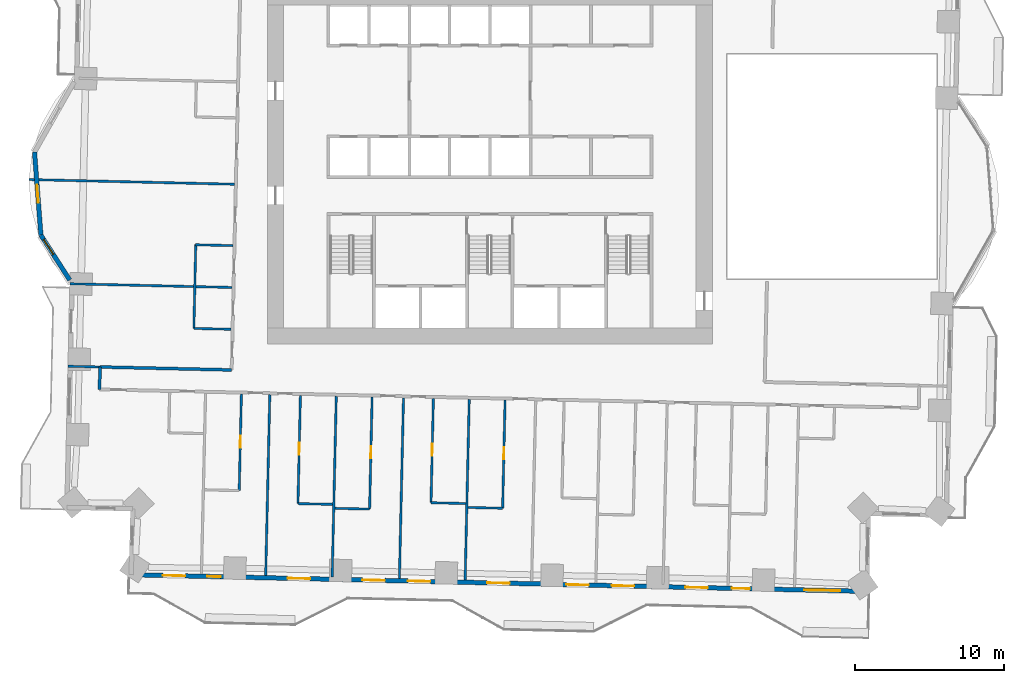
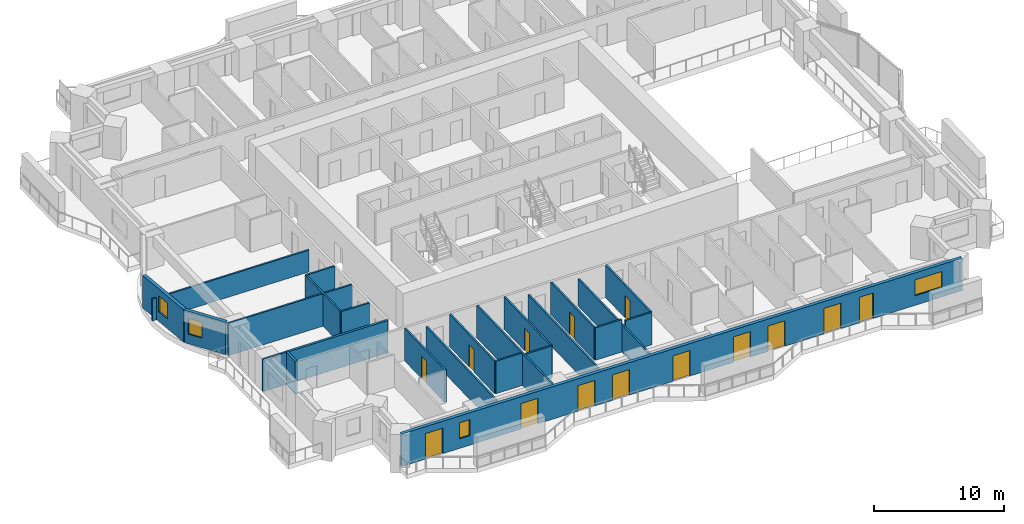
# One storey, part 7 of 19: 24 walls, 14 doors, 4 windows, 18 openings.
"""IFC4 building model written with IfcOpenShell, lengths in metres."""

import ifcopenshell
import ifcopenshell.guid

model = None  # the IFC model being written
_history = None  # IfcOwnerHistory: only IFC2X3 demands one
_inside = {}  # id of a spatial element -> (the spatial element, [elements in it])
_under = {}  # id of a project, library or spatial element -> (it, [spatial elements below it])
_declared = {}  # id of a project -> (the project, [libraries it declares])
_typed = {}  # id of a type object -> (the type object, [elements of that type])
_made_of = {}  # id of a material, layer set ... -> (it, [elements and type objects made of it])


def new_model(schema):
    """Start an empty IFC model of exactly this schema.

    Asked for "IFC4X3", IfcOpenShell would pick the latest addendum, in which some entities
    have other attributes; the version numbers below select the first issue.
    IFC2X3 requires an IfcOwnerHistory on every rooted entity: one is made here for all.
    """
    global model, _history
    if schema == "IFC4X3":
        model = ifcopenshell.file(schema_version=(4, 3, 0, 0))
    else:
        model = ifcopenshell.file(schema=schema)
    _inside.clear()
    _under.clear()
    _declared.clear()
    _typed.clear()
    _made_of.clear()
    _history = None
    if model.schema == "IFC2X3":
        org = make("IfcOrganization", Name="unknown")
        user = make(
            "IfcPersonAndOrganization",
            ThePerson=make("IfcPerson", FamilyName="unknown"),
            TheOrganization=org,
        )
        app = make(
            "IfcApplication",
            ApplicationDeveloper=org,
            Version="unknown",
            ApplicationFullName="unknown",
            ApplicationIdentifier="unknown",
        )
        _history = make(
            "IfcOwnerHistory",
            OwningUser=user,
            OwningApplication=app,
            ChangeAction="ADDED",
            CreationDate=0,
        )
    return model


def make(cls, **values):
    """One entity of the class cls with the attributes given. An attribute that is None is left unset."""
    return model.create_entity(
        cls, **{name: value for name, value in values.items() if value is not None}
    )


def rooted(cls, **values):
    """An entity with a GlobalId (a new one), such as an element, a storey or a relation."""
    return make(cls, GlobalId=ifcopenshell.guid.new(), OwnerHistory=_history, **values)


def si_unit(unit_type, name, prefix=None):
    """IfcSIUnit, for example si_unit("LENGTHUNIT", "METRE", prefix="MILLI")."""
    return make("IfcSIUnit", UnitType=unit_type, Prefix=prefix, Name=name)


def assignment(units):
    """IfcUnitAssignment: the units of a project."""
    return None if units is None else make("IfcUnitAssignment", Units=units)


def point(xyz):
    """IfcCartesianPoint."""
    return None if xyz is None else make("IfcCartesianPoint", Coordinates=xyz)


def direction(xyz):
    """IfcDirection."""
    return None if xyz is None else make("IfcDirection", DirectionRatios=xyz)


def frame(location, z_axis=None, x_axis=None):
    """IfcAxis2Placement3D, a coordinate frame: its origin and axes. An axis left out is left unset."""
    return make(
        "IfcAxis2Placement3D",
        Location=point(location),
        Axis=direction(z_axis),
        RefDirection=direction(x_axis),
    )


def frame_2d(location, x_axis=None):
    """IfcAxis2Placement2D, a coordinate frame in the plane: its origin and x axis."""
    return make(
        "IfcAxis2Placement2D", Location=point(location), RefDirection=direction(x_axis)
    )


def origin():
    """The frame at (0, 0, 0) with its axes left unset."""
    return frame((0.0, 0.0, 0.0))


def place(relative_to, where):
    """IfcLocalPlacement: puts the frame where relative to a parent placement (None: the world)."""
    return make(
        "IfcLocalPlacement", PlacementRelTo=relative_to, RelativePlacement=where
    )


def context(
    kind, dimensions, precision=None, world=None, true_north=None, identifier=None
):
    """IfcGeometricRepresentationContext, for example the 3D "Model" context."""
    return make(
        "IfcGeometricRepresentationContext",
        ContextIdentifier=identifier,
        ContextType=kind,
        CoordinateSpaceDimension=dimensions,
        Precision=precision,
        WorldCoordinateSystem=world,
        TrueNorth=true_north,
    )


def subcontext(parent, identifier, kind, view, scale=None):
    """IfcGeometricRepresentationSubContext, for example "Body" below "Model"."""
    return make(
        "IfcGeometricRepresentationSubContext",
        ContextIdentifier=identifier,
        ContextType=kind,
        ParentContext=parent,
        TargetScale=scale,
        TargetView=view,
    )


def project(units=None, contexts=None):
    """IfcProject with its units and contexts."""
    return rooted(
        "IfcProject",
        Name="project",
        RepresentationContexts=contexts,
        UnitsInContext=assignment(units),
    )


def spatial(cls, under=None, at=None, **own):
    """A site, building, storey or space (cls), placed at a placement, below another one or the project."""
    s = rooted(cls, ObjectPlacement=at, **own)
    if under is not None:
        _under.setdefault(under.id(), (under, []))[1].append(s)
    return s


def profile(cls, at=None, kind="AREA", **sizes):
    """A parametric profile (cls). Its sizes go by their IFC names, for example OverallWidth=200.0."""
    return make(cls, ProfileType=kind, Position=at, **sizes)


def rectangle(**sizes):
    """IfcRectangleProfileDef."""
    return profile("IfcRectangleProfileDef", **sizes)


def extrude(swept, where, along, depth):
    """IfcExtrudedAreaSolid: the profile swept, set in the frame where, extruded along a direction by depth."""
    return make(
        "IfcExtrudedAreaSolid",
        SweptArea=swept,
        Position=where,
        ExtrudedDirection=direction(along),
        Depth=depth,
    )


def shape(context_of_items, identifier, shape_type, items):
    """IfcShapeRepresentation: the items that make up one representation, for example the "Body"."""
    return make(
        "IfcShapeRepresentation",
        ContextOfItems=context_of_items,
        RepresentationIdentifier=identifier,
        RepresentationType=shape_type,
        Items=items,
    )


def material(Name=None, Category=None):
    """IfcMaterial."""
    return make("IfcMaterial", Name=Name, Category=Category)


def layer(
    of_material, thickness, ventilated=None, Name=None, Category=None, Priority=None
):
    """IfcMaterialLayer: one layer of a wall or slab, of a material (None: an air gap)."""
    return make(
        "IfcMaterialLayer",
        Material=of_material,
        LayerThickness=thickness,
        IsVentilated=ventilated,
        Name=Name,
        Category=Category,
        Priority=Priority,
    )


def layer_set(layers, Name=None):
    """IfcMaterialLayerSet."""
    return make("IfcMaterialLayerSet", MaterialLayers=layers, LayerSetName=Name)


def made_of(thing, what):
    """Note that an element or type object is made of a material, layer set ...; save() writes the relation."""
    if what is not None:
        _made_of.setdefault(what.id(), (what, []))[1].append(thing)
    return thing


def type_object(cls, material=None, **own):
    """A type object (cls), such as IfcWallType, which elements share."""
    return made_of(rooted(cls, **own), material)


def element(
    cls,
    number,
    at=None,
    inside=None,
    cuts=None,
    type_object=None,
    material=None,
    context=None,
    identifier="Body",
    shape_type=None,
    held_by="IfcProductDefinitionShape",
    body=None,
    shapes=None,
    **own,
):
    """One element of the class cls, such as IfcWall. Its Tag is "e" and its number.

    at: its placement. inside: the storey or other place that contains it. cuts: it is an
    opening in that element (IfcRelVoidsElement). A single representation is given by context,
    identifier, shape_type and body (its items); several are given by shapes. held_by: the class
    of the entity that holds the representations. save() writes the other relations.
    """
    e = rooted(cls, Tag="e%d" % number, ObjectPlacement=at, **own)
    if body is not None:
        shapes = [shape(context, identifier, shape_type, body)]
    if shapes is not None:
        e.Representation = make(held_by, Representations=shapes)
    if inside is not None:
        _inside.setdefault(inside.id(), (inside, []))[1].append(e)
    if cuts is not None:
        rooted(
            "IfcRelVoidsElement", RelatingBuildingElement=cuts, RelatedOpeningElement=e
        )
    if type_object is not None:
        _typed.setdefault(type_object.id(), (type_object, []))[1].append(e)
    return made_of(e, material)


def fill(opening, filler):
    """IfcRelFillsElement: the door or window that sits in an opening."""
    return rooted(
        "IfcRelFillsElement",
        RelatingOpeningElement=opening,
        RelatedBuildingElement=filler,
    )


def aggregate(whole, parts):
    """IfcRelAggregates: a whole, such as a stair, and the parts it consists of."""
    return rooted("IfcRelAggregates", RelatingObject=whole, RelatedObjects=parts)


def save(model, path):
    """Write the relations noted so far, then the file.

    IfcRelAggregates (storeys below a building ...), IfcRelContainedInSpatialStructure (elements
    in a storey), IfcRelDefinesByType, IfcRelAssociatesMaterial and IfcRelDeclares: one each for
    every whole, place, type object, material and project.
    """
    for whole, parts in _under.values():
        aggregate(whole, parts)
    for where, things in _inside.values():
        rooted(
            "IfcRelContainedInSpatialStructure",
            RelatedElements=things,
            RelatingStructure=where,
        )
    for kind, things in _typed.values():
        rooted("IfcRelDefinesByType", RelatedObjects=things, RelatingType=kind)
    for what, things in _made_of.values():
        rooted("IfcRelAssociatesMaterial", RelatedObjects=things, RelatingMaterial=what)
    for by, libraries in _declared.values():
        rooted("IfcRelDeclares", RelatingContext=by, RelatedDefinitions=libraries)
    model.write(path)


model = new_model("IFC4")

# Units and contexts
model_context = context("Model", 3, precision=1e-05, world=origin(), true_north=direction((0.0, 1.0)))
body_context = subcontext(model_context, "Body", "Model", "MODEL_VIEW")
ifc_project = project(units=[si_unit("LENGTHUNIT", "METRE"), si_unit("AREAUNIT", "SQUARE_METRE"), si_unit("VOLUMEUNIT", "CUBIC_METRE"), si_unit("PLANEANGLEUNIT", "RADIAN"), si_unit("MASSUNIT", "GRAM", prefix="KILO")], contexts=[model_context])

# Site, building, storey
site_placement = place(None, origin())
site = spatial("IfcSite", under=ifc_project, at=site_placement, CompositionType="ELEMENT")
building_placement = place(site_placement, origin())
building = spatial("IfcBuilding", under=site, at=building_placement, Name="Mangrove Gate Tower", CompositionType="ELEMENT")
storey_placement = place(building_placement, frame((0.0, 0.0, 63.89990234375)))
storey = spatial("IfcBuildingStorey", under=building, at=storey_placement, Name="L15", CompositionType="ELEMENT", Elevation=63.89990234375)

# Walls
ifc_material_1 = material(Name="Gypsum board on steel stud, EI 60", Category="steel")
ifc_layer_1 = layer(ifc_material_1, 0.199951171875)
ifc_layer_set_1 = layer_set([ifc_layer_1], Name="Corridor wall EI 60")
wall_type_1 = type_object("IfcWallType", Name="Corridor wall EI 60", PredefinedType="PARTITIONING", material=ifc_layer_set_1)
wall_1_placement = place(storey_placement, frame((-26.1279296875, -14.924072265625, 0.0), z_axis=(0.0, 0.0, 1.0), x_axis=(0.022632637625, 0.99974384905, 0.0)))
element("IfcWall", 1, at=wall_1_placement, inside=storey, type_object=wall_type_1, Name="WALL-L15-033", PredefinedType="PARTITIONING", context=body_context, shape_type="SweptSolid", body=[
    extrude(rectangle(XDim=1.49951171875, YDim=0.199951171875, at=frame_2d((0.749755859375, 0.0))), origin(), (0.0, 0.0, 1.0), 3.050048828125),
])
wall_2_placement = place(storey_placement, frame((-26.092041015625, -13.425048828125, 0.0), z_axis=(0.0, 0.0, 1.0), x_axis=(0.999742550188, -0.022689939273, 0.0)))
element("IfcWall", 2, at=wall_2_placement, inside=storey, type_object=wall_type_1, Name="WALL-L15-037", PredefinedType="PARTITIONING", context=body_context, shape_type="SweptSolid", body=[
    extrude(rectangle(XDim=8.812255859375, YDim=0.199951171875, at=frame_2d((4.40625, 0.0))), origin(), (0.0, 0.0, 1.0), 3.050048828125),
])

# Wall, opening, window
ifc_material_2 = material(Name="Limestone", Category="masonry")
ifc_layer_2 = layer(ifc_material_2, 0.0400390625, Name="Limestone cladding")
ifc_material_3 = material(Name="Ventilated air gap")
ifc_layer_3 = layer(ifc_material_3, 0.0400390625, Name="Ventilated cavity")
ifc_material_4 = material(Name="Mineral wool insulation")
ifc_layer_4 = layer(ifc_material_4, 0.06005859375, Name="Insulation")
ifc_material_5 = material(Name="Breather membrane")
ifc_layer_5 = layer(ifc_material_5, 0.001953125, Name="Breather membrane")
ifc_material_6 = material(Name="Concrete C20/25 blockwork", Category="masonry")
ifc_layer_6 = layer(ifc_material_6, 0.14990234375, Name="Blockwork backing wall")
ifc_material_7 = material(Name="Gypsum plaster")
ifc_layer_7 = layer(ifc_material_7, 0.008056640625, Name="Internal plaster")
ifc_layer_set_2 = layer_set([ifc_layer_2, ifc_layer_3, ifc_layer_4, ifc_layer_5, ifc_layer_6, ifc_layer_7], Name="External wall 300 limestone cladding")
wall_type_2 = type_object("IfcWallType", Name="External wall 300 limestone cladding", PredefinedType="SOLIDWALL", material=ifc_layer_set_2)
wall_3_placement = place(storey_placement, frame((-30.47900390625, 0.951904296875, 0.0), z_axis=(0.0, 0.0, 1.0), x_axis=(0.076964476481, -0.997033835614, 0.0)))
wall_3 = element("IfcWall", 3, at=wall_3_placement, inside=storey, type_object=wall_type_2, Name="WALL-L15-W9f2", PredefinedType="SOLIDWALL", context=body_context, shape_type="SweptSolid", body=[
    extrude(rectangle(XDim=5.573486328125, YDim=0.300048828125, at=frame_2d((2.78662109375, 0.0))), origin(), (0.0, 0.0, 1.0), 3.050048828125),
])
opening_1_placement = place(wall_3_placement, frame((2.18603515625, 0.0, 0.89990234375)))
opening_1 = element("IfcOpeningElement", 4, at=opening_1_placement, cuts=wall_3, Name="Opening W1", PredefinedType="OPENING", context=body_context, shape_type="SweptSolid", body=[
    extrude(rectangle(XDim=1.199951171875, YDim=1.5, at=frame_2d((0.60009765625, 0.75))), frame((0.0, 0.159912109375, 0.0), z_axis=(0.0, -1.0, 0.0), x_axis=(1.0, 0.0, 0.0)), (0.0, 0.0, 1.0), 0.320068359375),
])
ifc_material_8 = material(Name="Aluminium frame with double-glazed low-e glass", Category="aluminium")
window_type_1 = type_object("IfcWindowType", Name="Side lite 1200x1500", PartitioningType="SINGLE_PANEL", PredefinedType="WINDOW", material=ifc_material_8)
window_1_placement = place(opening_1_placement, origin())
window_1 = element("IfcWindow", 5, at=window_1_placement, inside=storey, type_object=window_type_1, Name="WIN-L15-W9f2", OverallHeight=1.5, OverallWidth=1.199951171875, PartitioningType="SINGLE_PANEL", PredefinedType="WINDOW", context=body_context, shape_type="SweptSolid", body=[
    extrude(rectangle(XDim=1.199951171875, YDim=1.5, at=frame_2d((0.60009765625, 0.75))), frame((0.0, 0.030029296875, 0.0), z_axis=(0.0, -1.0, 0.0), x_axis=(1.0, 0.0, 0.0)), (0.0, 0.0, 1.0), 0.06005859375),
])
fill(opening_1, window_1)

wall_4_placement = place(storey_placement, frame((-30.050048828125, -4.60498046875, 0.0), z_axis=(0.0, 0.0, 1.0), x_axis=(0.540653885242, -0.841245134532, 0.0)))
wall_4 = element("IfcWall", 6, at=wall_4_placement, inside=storey, type_object=wall_type_2, Name="WALL-L15-W9f3", PredefinedType="SOLIDWALL", context=body_context, shape_type="SweptSolid", body=[
    extrude(rectangle(XDim=3.569580078125, YDim=0.300048828125, at=frame_2d((1.78466796875, 0.0))), origin(), (0.0, 0.0, 1.0), 3.050048828125),
])
opening_2_placement = place(wall_4_placement, frame((0.337890625, 0.0, 0.89990234375)))
opening_2 = element("IfcOpeningElement", 7, at=opening_2_placement, cuts=wall_4, Name="Opening W1", PredefinedType="OPENING", context=body_context, shape_type="SweptSolid", body=[
    extrude(rectangle(XDim=1.199951171875, YDim=1.5, at=frame_2d((0.60009765625, 0.75))), frame((0.0, 0.159912109375, 0.0), z_axis=(0.0, -1.0, 0.0), x_axis=(1.0, 0.0, 0.0)), (0.0, 0.0, 1.0), 0.320068359375),
])
window_2_placement = place(opening_2_placement, origin())
window_2 = element("IfcWindow", 8, at=window_2_placement, inside=storey, type_object=window_type_1, Name="WIN-L15-W9f3", OverallHeight=1.5, OverallWidth=1.199951171875, PartitioningType="SINGLE_PANEL", PredefinedType="WINDOW", context=body_context, shape_type="SweptSolid", body=[
    extrude(rectangle(XDim=1.199951171875, YDim=1.5, at=frame_2d((0.60009765625, 0.75))), frame((0.0, 0.030029296875, 0.0), z_axis=(0.0, -1.0, 0.0), x_axis=(1.0, 0.0, 0.0)), (0.0, 0.0, 1.0), 0.06005859375),
])
fill(opening_2, window_2)

# Wall, openings, doors, windows
wall_5_placement = place(storey_placement, frame((-24.007080078125, -27.325927734375, 0.0), z_axis=(0.0, 0.0, 1.0), x_axis=(0.999742536491, -0.022690542744, 0.0)))
wall_5 = element("IfcWall", 9, at=wall_5_placement, inside=storey, type_object=wall_type_2, Name="WALL-L15-S13", PredefinedType="SOLIDWALL", context=body_context, shape_type="SweptSolid", body=[
    extrude(rectangle(XDim=49.23583984375, YDim=0.300048828125, at=frame_2d((24.617919921875, 0.0))), origin(), (0.0, 0.0, 1.0), 3.050048828125),
])
opening_3_placement = place(wall_5_placement, frame((2.114990234375, 0.0, 0.0)))
opening_3 = element("IfcOpeningElement", 10, at=opening_3_placement, cuts=wall_5, Name="Opening BD1", PredefinedType="OPENING", context=body_context, shape_type="SweptSolid", body=[
    extrude(rectangle(XDim=1.5, YDim=2.39990234375, at=frame_2d((0.75, 1.199951171875))), frame((0.0, 0.159912109375, 0.0), z_axis=(0.0, -1.0, 0.0), x_axis=(1.0, 0.0, 0.0)), (0.0, 0.0, 1.0), 0.320068359375),
])
opening_4_placement = place(wall_5_placement, frame((5.087890625, 0.0, 0.89990234375)))
opening_4 = element("IfcOpeningElement", 11, at=opening_4_placement, cuts=wall_5, Name="Opening W5", PredefinedType="OPENING", context=body_context, shape_type="SweptSolid", body=[
    extrude(rectangle(XDim=0.89990234375, YDim=1.5, at=frame_2d((0.449951171875, 0.75))), frame((0.0, 0.159912109375, 0.0), z_axis=(0.0, -1.0, 0.0), x_axis=(1.0, 0.0, 0.0)), (0.0, 0.0, 1.0), 0.320068359375),
])
opening_5_placement = place(wall_5_placement, frame((10.47509765625, 0.0, 0.0)))
opening_5 = element("IfcOpeningElement", 12, at=opening_5_placement, cuts=wall_5, Name="Opening BD1", PredefinedType="OPENING", context=body_context, shape_type="SweptSolid", body=[
    extrude(rectangle(XDim=1.5, YDim=2.39990234375, at=frame_2d((0.75, 1.199951171875))), frame((0.0, 0.159912109375, 0.0), z_axis=(0.0, -1.0, 0.0), x_axis=(1.0, 0.0, 0.0)), (0.0, 0.0, 1.0), 0.320068359375),
])
opening_6_placement = place(wall_5_placement, frame((15.47705078125, 0.0, 0.0)))
opening_6 = element("IfcOpeningElement", 13, at=opening_6_placement, cuts=wall_5, Name="Opening BD1", PredefinedType="OPENING", context=body_context, shape_type="SweptSolid", body=[
    extrude(rectangle(XDim=1.5, YDim=2.39990234375, at=frame_2d((0.75, 1.199951171875))), frame((0.0, 0.159912109375, 0.0), z_axis=(0.0, -1.0, 0.0), x_axis=(1.0, 0.0, 0.0)), (0.0, 0.0, 1.0), 0.320068359375),
])
opening_7_placement = place(wall_5_placement, frame((18.514892578125, 0.0, 0.0)))
opening_7 = element("IfcOpeningElement", 14, at=opening_7_placement, cuts=wall_5, Name="Opening BD1", PredefinedType="OPENING", context=body_context, shape_type="SweptSolid", body=[
    extrude(rectangle(XDim=1.5, YDim=2.39990234375, at=frame_2d((0.75, 1.199951171875))), frame((0.0, 0.159912109375, 0.0), z_axis=(0.0, -1.0, 0.0), x_axis=(1.0, 0.0, 0.0)), (0.0, 0.0, 1.0), 0.320068359375),
])
opening_8_placement = place(wall_5_placement, frame((23.824951171875, 0.0, 0.0)))
opening_8 = element("IfcOpeningElement", 15, at=opening_8_placement, cuts=wall_5, Name="Opening BD1", PredefinedType="OPENING", context=body_context, shape_type="SweptSolid", body=[
    extrude(rectangle(XDim=1.5, YDim=2.39990234375, at=frame_2d((0.75, 1.199951171875))), frame((0.0, 0.159912109375, 0.0), z_axis=(0.0, -1.0, 0.0), x_axis=(1.0, 0.0, 0.0)), (0.0, 0.0, 1.0), 0.320068359375),
])
opening_9_placement = place(wall_5_placement, frame((29.1279296875, 0.0, 0.0)))
opening_9 = element("IfcOpeningElement", 16, at=opening_9_placement, cuts=wall_5, Name="Opening BD1", PredefinedType="OPENING", context=body_context, shape_type="SweptSolid", body=[
    extrude(rectangle(XDim=1.5, YDim=2.39990234375, at=frame_2d((0.75, 1.199951171875))), frame((0.0, 0.159912109375, 0.0), z_axis=(0.0, -1.0, 0.0), x_axis=(1.0, 0.0, 0.0)), (0.0, 0.0, 1.0), 0.320068359375),
])
opening_10_placement = place(wall_5_placement, frame((32.166015625, 0.0, 0.0)))
opening_10 = element("IfcOpeningElement", 17, at=opening_10_placement, cuts=wall_5, Name="Opening BD1", PredefinedType="OPENING", context=body_context, shape_type="SweptSolid", body=[
    extrude(rectangle(XDim=1.5, YDim=2.39990234375, at=frame_2d((0.75, 1.199951171875))), frame((0.0, 0.159912109375, 0.0), z_axis=(0.0, -1.0, 0.0), x_axis=(1.0, 0.0, 0.0)), (0.0, 0.0, 1.0), 0.320068359375),
])
opening_11_placement = place(wall_5_placement, frame((37.091064453125, 0.0, 0.0)))
opening_11 = element("IfcOpeningElement", 18, at=opening_11_placement, cuts=wall_5, Name="Opening BD1", PredefinedType="OPENING", context=body_context, shape_type="SweptSolid", body=[
    extrude(rectangle(XDim=1.5, YDim=2.39990234375, at=frame_2d((0.75, 1.199951171875))), frame((0.0, 0.159912109375, 0.0), z_axis=(0.0, -1.0, 0.0), x_axis=(1.0, 0.0, 0.0)), (0.0, 0.0, 1.0), 0.320068359375),
])
opening_12_placement = place(wall_5_placement, frame((40.205078125, 0.0, 0.0)))
opening_12 = element("IfcOpeningElement", 19, at=opening_12_placement, cuts=wall_5, Name="Opening BD2", PredefinedType="OPENING", context=body_context, shape_type="SweptSolid", body=[
    extrude(rectangle(XDim=1.199951171875, YDim=2.39990234375, at=frame_2d((0.60009765625, 1.199951171875))), frame((0.0, 0.159912109375, 0.0), z_axis=(0.0, -1.0, 0.0), x_axis=(1.0, 0.0, 0.0)), (0.0, 0.0, 1.0), 0.320068359375),
])
opening_13_placement = place(wall_5_placement, frame((45.047119140625, 0.0, 0.89990234375)))
opening_13 = element("IfcOpeningElement", 20, at=opening_13_placement, cuts=wall_5, Name="Opening W2", PredefinedType="OPENING", context=body_context, shape_type="SweptSolid", body=[
    extrude(rectangle(XDim=2.39990234375, YDim=1.5, at=frame_2d((1.199951171875, 0.75))), frame((0.0, 0.159912109375, 0.0), z_axis=(0.0, -1.0, 0.0), x_axis=(1.0, 0.0, 0.0)), (0.0, 0.0, 1.0), 0.320068359375),
])
ifc_material_9 = material(Name="Aluminium frame with laminated clear glass", Category="aluminium")
door_type_1 = type_object("IfcDoorType", Name="Balcony sliding door 1200x2400", OperationType="SLIDING_TO_LEFT", PredefinedType="DOOR", material=ifc_material_9)
door_1_placement = place(opening_12_placement, origin())
door_1 = element("IfcDoor", 21, at=door_1_placement, inside=storey, type_object=door_type_1, Name="DOOR-L15-S13-10", OperationType="SLIDING_TO_LEFT", OverallHeight=2.39990234375, OverallWidth=1.199951171875, PredefinedType="DOOR", context=body_context, shape_type="SweptSolid", body=[
    extrude(rectangle(XDim=1.199951171875, YDim=2.39990234375, at=frame_2d((0.60009765625, 1.199951171875))), frame((0.0, 0.02490234375, 0.0), z_axis=(0.0, -1.0, 0.0), x_axis=(1.0, 0.0, 0.0)), (0.0, 0.0, 1.0), 0.050048828125),
])
fill(opening_12, door_1)
ifc_material_10 = material(Name="Aluminium frame with laminated clear glass", Category="aluminium")
door_type_2 = type_object("IfcDoorType", Name="Balcony sliding door 1500x2400", OperationType="SLIDING_TO_LEFT", PredefinedType="DOOR", material=ifc_material_10)
door_2_placement = place(opening_3_placement, origin())
door_2 = element("IfcDoor", 22, at=door_2_placement, inside=storey, type_object=door_type_2, Name="DOOR-L15-S13-1", OperationType="SLIDING_TO_LEFT", OverallHeight=2.39990234375, OverallWidth=1.5, PredefinedType="DOOR", context=body_context, shape_type="SweptSolid", body=[
    extrude(rectangle(XDim=1.5, YDim=2.39990234375, at=frame_2d((0.75, 1.199951171875))), frame((0.0, 0.02490234375, 0.0), z_axis=(0.0, -1.0, 0.0), x_axis=(1.0, 0.0, 0.0)), (0.0, 0.0, 1.0), 0.050048828125),
])
fill(opening_3, door_2)
door_3_placement = place(opening_5_placement, origin())
door_3 = element("IfcDoor", 23, at=door_3_placement, inside=storey, type_object=door_type_2, Name="DOOR-L15-S13-3", OperationType="SLIDING_TO_LEFT", OverallHeight=2.39990234375, OverallWidth=1.5, PredefinedType="DOOR", context=body_context, shape_type="SweptSolid", body=[
    extrude(rectangle(XDim=1.5, YDim=2.39990234375, at=frame_2d((0.75, 1.199951171875))), frame((0.0, 0.02490234375, 0.0), z_axis=(0.0, -1.0, 0.0), x_axis=(1.0, 0.0, 0.0)), (0.0, 0.0, 1.0), 0.050048828125),
])
fill(opening_5, door_3)
door_4_placement = place(opening_6_placement, origin())
door_4 = element("IfcDoor", 24, at=door_4_placement, inside=storey, type_object=door_type_2, Name="DOOR-L15-S13-4", OperationType="SLIDING_TO_LEFT", OverallHeight=2.39990234375, OverallWidth=1.5, PredefinedType="DOOR", context=body_context, shape_type="SweptSolid", body=[
    extrude(rectangle(XDim=1.5, YDim=2.39990234375, at=frame_2d((0.75, 1.199951171875))), frame((0.0, 0.02490234375, 0.0), z_axis=(0.0, -1.0, 0.0), x_axis=(1.0, 0.0, 0.0)), (0.0, 0.0, 1.0), 0.050048828125),
])
fill(opening_6, door_4)
door_5_placement = place(opening_7_placement, origin())
door_5 = element("IfcDoor", 25, at=door_5_placement, inside=storey, type_object=door_type_2, Name="DOOR-L15-S13-5", OperationType="SLIDING_TO_LEFT", OverallHeight=2.39990234375, OverallWidth=1.5, PredefinedType="DOOR", context=body_context, shape_type="SweptSolid", body=[
    extrude(rectangle(XDim=1.5, YDim=2.39990234375, at=frame_2d((0.75, 1.199951171875))), frame((0.0, 0.02490234375, 0.0), z_axis=(0.0, -1.0, 0.0), x_axis=(1.0, 0.0, 0.0)), (0.0, 0.0, 1.0), 0.050048828125),
])
fill(opening_7, door_5)
door_6_placement = place(opening_8_placement, origin())
door_6 = element("IfcDoor", 26, at=door_6_placement, inside=storey, type_object=door_type_2, Name="DOOR-L15-S13-6", OperationType="SLIDING_TO_LEFT", OverallHeight=2.39990234375, OverallWidth=1.5, PredefinedType="DOOR", context=body_context, shape_type="SweptSolid", body=[
    extrude(rectangle(XDim=1.5, YDim=2.39990234375, at=frame_2d((0.75, 1.199951171875))), frame((0.0, 0.02490234375, 0.0), z_axis=(0.0, -1.0, 0.0), x_axis=(1.0, 0.0, 0.0)), (0.0, 0.0, 1.0), 0.050048828125),
])
fill(opening_8, door_6)
door_7_placement = place(opening_9_placement, origin())
door_7 = element("IfcDoor", 27, at=door_7_placement, inside=storey, type_object=door_type_2, Name="DOOR-L15-S13-7", OperationType="SLIDING_TO_LEFT", OverallHeight=2.39990234375, OverallWidth=1.5, PredefinedType="DOOR", context=body_context, shape_type="SweptSolid", body=[
    extrude(rectangle(XDim=1.5, YDim=2.39990234375, at=frame_2d((0.75, 1.199951171875))), frame((0.0, 0.02490234375, 0.0), z_axis=(0.0, -1.0, 0.0), x_axis=(1.0, 0.0, 0.0)), (0.0, 0.0, 1.0), 0.050048828125),
])
fill(opening_9, door_7)
door_8_placement = place(opening_10_placement, origin())
door_8 = element("IfcDoor", 28, at=door_8_placement, inside=storey, type_object=door_type_2, Name="DOOR-L15-S13-8", OperationType="SLIDING_TO_LEFT", OverallHeight=2.39990234375, OverallWidth=1.5, PredefinedType="DOOR", context=body_context, shape_type="SweptSolid", body=[
    extrude(rectangle(XDim=1.5, YDim=2.39990234375, at=frame_2d((0.75, 1.199951171875))), frame((0.0, 0.02490234375, 0.0), z_axis=(0.0, -1.0, 0.0), x_axis=(1.0, 0.0, 0.0)), (0.0, 0.0, 1.0), 0.050048828125),
])
fill(opening_10, door_8)
door_9_placement = place(opening_11_placement, origin())
door_9 = element("IfcDoor", 29, at=door_9_placement, inside=storey, type_object=door_type_2, Name="DOOR-L15-S13-9", OperationType="SLIDING_TO_LEFT", OverallHeight=2.39990234375, OverallWidth=1.5, PredefinedType="DOOR", context=body_context, shape_type="SweptSolid", body=[
    extrude(rectangle(XDim=1.5, YDim=2.39990234375, at=frame_2d((0.75, 1.199951171875))), frame((0.0, 0.02490234375, 0.0), z_axis=(0.0, -1.0, 0.0), x_axis=(1.0, 0.0, 0.0)), (0.0, 0.0, 1.0), 0.050048828125),
])
fill(opening_11, door_9)
ifc_material_11 = material(Name="Aluminium frame with double-glazed low-e glass", Category="aluminium")
window_type_2 = type_object("IfcWindowType", Name="Corner room window 2400x1500", PartitioningType="DOUBLE_PANEL_VERTICAL", PredefinedType="WINDOW", material=ifc_material_11)
window_3_placement = place(opening_13_placement, origin())
window_3 = element("IfcWindow", 30, at=window_3_placement, inside=storey, type_object=window_type_2, Name="WIN-L15-S13-11", OverallHeight=1.5, OverallWidth=2.39990234375, PartitioningType="DOUBLE_PANEL_VERTICAL", PredefinedType="WINDOW", context=body_context, shape_type="SweptSolid", body=[
    extrude(rectangle(XDim=2.39990234375, YDim=1.5, at=frame_2d((1.199951171875, 0.75))), frame((0.0, 0.030029296875, 0.0), z_axis=(0.0, -1.0, 0.0), x_axis=(1.0, 0.0, 0.0)), (0.0, 0.0, 1.0), 0.06005859375),
])
fill(opening_13, window_3)
ifc_material_12 = material(Name="Aluminium frame with double-glazed low-e glass", Category="aluminium")
window_type_3 = type_object("IfcWindowType", Name="Narrow window 900x1500", PartitioningType="SINGLE_PANEL", PredefinedType="WINDOW", material=ifc_material_12)
window_4_placement = place(opening_4_placement, origin())
window_4 = element("IfcWindow", 31, at=window_4_placement, inside=storey, type_object=window_type_3, Name="WIN-L15-S13-2", OverallHeight=1.5, OverallWidth=0.89990234375, PartitioningType="SINGLE_PANEL", PredefinedType="WINDOW", context=body_context, shape_type="SweptSolid", body=[
    extrude(rectangle(XDim=0.89990234375, YDim=1.5, at=frame_2d((0.449951171875, 0.75))), frame((0.0, 0.030029296875, 0.0), z_axis=(0.0, -1.0, 0.0), x_axis=(1.0, 0.0, 0.0)), (0.0, 0.0, 1.0), 0.06005859375),
])
fill(opening_4, window_4)

# Walls
ifc_material_13 = material(Name="Gypsum board on steel stud, EI 60", Category="steel")
ifc_layer_8 = layer(ifc_material_13, 0.14990234375)
ifc_layer_set_3 = layer_set([ifc_layer_8], Name="Party wall 150 EI 60")
wall_type_3 = type_object("IfcWallType", Name="Party wall 150 EI 60", PredefinedType="PARTITIONING", material=ifc_layer_set_3)
wall_6_placement = place(storey_placement, frame((-15.008056640625, -27.3798828125, 0.0), z_axis=(0.0, 0.0, 1.0), x_axis=(0.02273928012, 0.99974142914, 0.0)))
element("IfcWall", 32, at=wall_6_placement, inside=storey, type_object=wall_type_3, Name="WALL-L15-002", PredefinedType="PARTITIONING", context=body_context, shape_type="SweptSolid", body=[
    extrude(rectangle(XDim=12.10009765625, YDim=0.14990234375, at=frame_2d((6.050048828125, 0.0))), origin(), (0.0, 0.0, 1.0), 2.550048828125),
])
wall_7_placement = place(storey_placement, frame((-10.55908203125, -27.48095703125, 0.0), z_axis=(0.0, 0.0, 1.0), x_axis=(0.022658614335, 0.999743260641, 0.0)))
element("IfcWall", 33, at=wall_7_placement, inside=storey, type_object=wall_type_3, Name="WALL-L15-003", PredefinedType="PARTITIONING", context=body_context, shape_type="SweptSolid", body=[
    extrude(rectangle(XDim=12.10009765625, YDim=0.14990234375, at=frame_2d((6.050048828125, 0.0))), origin(), (0.0, 0.0, 1.0), 3.050048828125),
])
wall_8_placement = place(storey_placement, frame((-6.06005859375, -27.5830078125, 0.0), z_axis=(0.0, 0.0, 1.0), x_axis=(0.022658614335, 0.999743260641, 0.0)))
element("IfcWall", 34, at=wall_8_placement, inside=storey, type_object=wall_type_3, Name="WALL-L15-004", PredefinedType="PARTITIONING", context=body_context, shape_type="SweptSolid", body=[
    extrude(rectangle(XDim=12.10009765625, YDim=0.14990234375, at=frame_2d((6.050048828125, 0.0))), origin(), (0.0, 0.0, 1.0), 2.550048828125),
])
wall_9_placement = place(storey_placement, frame((-1.660888671875, -27.68310546875, 0.0), z_axis=(0.0, 0.0, 1.0), x_axis=(0.022637991173, 0.99974372784, 0.0)))
element("IfcWall", 35, at=wall_9_placement, inside=storey, type_object=wall_type_3, Name="WALL-L15-005", PredefinedType="PARTITIONING", context=body_context, shape_type="SweptSolid", body=[
    extrude(rectangle(XDim=12.100341796875, YDim=0.14990234375, at=frame_2d((6.05029296875, 0.0))), origin(), (0.0, 0.0, 1.0), 2.550048828125),
])
wall_10_placement = place(storey_placement, frame((-10.3779296875, -22.884033203125, 0.0), z_axis=(0.0, 0.0, 1.0), x_axis=(0.999749954681, -0.022361308448, 0.0)))
element("IfcWall", 36, at=wall_10_placement, inside=storey, type_object=wall_type_3, Name="WALL-L15-011", PredefinedType="PARTITIONING", context=body_context, shape_type="SweptSolid", body=[
    extrude(rectangle(XDim=2.325439453125, YDim=0.14990234375, at=frame_2d((1.16259765625, 0.0))), origin(), (0.0, 0.0, 1.0), 3.050048828125),
])

# Wall, opening, door
wall_11_placement = place(storey_placement, frame((-8.054931640625, -22.93603515625, 0.0), z_axis=(0.0, 0.0, 1.0), x_axis=(0.022656334507, 0.999743312309, 0.0)))
wall_11 = element("IfcWall", 37, at=wall_11_placement, inside=storey, type_object=wall_type_3, Name="WALL-L15-012", PredefinedType="PARTITIONING", context=body_context, shape_type="SweptSolid", body=[
    extrude(rectangle(XDim=7.5, YDim=0.14990234375, at=frame_2d((3.75, 0.0))), origin(), (0.0, 0.0, 1.0), 3.050048828125),
])
opening_14_placement = place(wall_11_placement, frame((3.39990234375, 0.0, 0.0)))
opening_14 = element("IfcOpeningElement", 38, at=opening_14_placement, cuts=wall_11, Name="Opening ED", PredefinedType="OPENING", context=body_context, shape_type="SweptSolid", body=[
    extrude(rectangle(XDim=0.800048828125, YDim=2.10009765625, at=frame_2d((0.39990234375, 1.050048828125))), frame((0.0, 0.0849609375, 0.0), z_axis=(0.0, -1.0, 0.0), x_axis=(1.0, 0.0, 0.0)), (0.0, 0.0, 1.0), 0.169921875),
])
ifc_material_14 = material(Name="Timber door leaf", Category="wood")
door_type_3 = type_object("IfcDoorType", Name="En-suite door 800", OperationType="SINGLE_SWING_LEFT", PredefinedType="DOOR", material=ifc_material_14)
door_10_placement = place(opening_14_placement, origin())
door_10 = element("IfcDoor", 39, at=door_10_placement, inside=storey, type_object=door_type_3, Name="DOOR-L15-ENS-c103", OperationType="SINGLE_SWING_LEFT", OverallHeight=2.10009765625, OverallWidth=0.800048828125, PredefinedType="DOOR", context=body_context, shape_type="SweptSolid", body=[
    extrude(rectangle(XDim=0.800048828125, YDim=2.10009765625, at=frame_2d((0.39990234375, 1.050048828125))), frame((0.0, 0.02490234375, 0.0), z_axis=(0.0, -1.0, 0.0), x_axis=(1.0, 0.0, 0.0)), (0.0, 0.0, 1.0), 0.050048828125),
])
fill(opening_14, door_10)

wall_12_placement = place(storey_placement, frame((-12.847900390625, -22.568115234375, 0.0), z_axis=(0.0, 0.0, 1.0), x_axis=(0.022624135841, 0.999744041481, 0.0)))
wall_12 = element("IfcWall", 40, at=wall_12_placement, inside=storey, type_object=wall_type_3, Name="WALL-L15-015", PredefinedType="PARTITIONING", context=body_context, shape_type="SweptSolid", body=[
    extrude(rectangle(XDim=7.240966796875, YDim=0.14990234375, at=frame_2d((3.62060546875, 0.0))), origin(), (0.0, 0.0, 1.0), 3.050048828125),
])
opening_15_placement = place(wall_12_placement, frame((3.27001953125, 0.0, 0.0)))
opening_15 = element("IfcOpeningElement", 41, at=opening_15_placement, cuts=wall_12, Name="Opening ED", PredefinedType="OPENING", context=body_context, shape_type="SweptSolid", body=[
    extrude(rectangle(XDim=0.800048828125, YDim=2.10009765625, at=frame_2d((0.39990234375, 1.050048828125))), frame((0.0, 0.0849609375, 0.0), z_axis=(0.0, -1.0, 0.0), x_axis=(1.0, 0.0, 0.0)), (0.0, 0.0, 1.0), 0.169921875),
])
door_11_placement = place(opening_15_placement, origin())
door_11 = element("IfcDoor", 42, at=door_11_placement, inside=storey, type_object=door_type_3, Name="DOOR-L15-ENS-c102", OperationType="SINGLE_SWING_RIGHT", OverallHeight=2.10009765625, OverallWidth=0.800048828125, PredefinedType="DOOR", context=body_context, shape_type="SweptSolid", body=[
    extrude(rectangle(XDim=0.800048828125, YDim=2.10009765625, at=frame_2d((0.39990234375, 1.050048828125))), frame((0.0, 0.02490234375, 0.0), z_axis=(0.0, -1.0, 0.0), x_axis=(1.0, 0.0, 0.0)), (0.0, 0.0, 1.0), 0.050048828125),
])
fill(opening_15, door_11)

# Walls
wall_13_placement = place(storey_placement, frame((-12.845947265625, -22.568115234375, 0.0), z_axis=(0.0, 0.0, 1.0), x_axis=(0.999749744571, -0.022370700241, 0.0)))
element("IfcWall", 43, at=wall_13_placement, inside=storey, type_object=wall_type_3, Name="WALL-L15-016", PredefinedType="PARTITIONING", context=body_context, shape_type="SweptSolid", body=[
    extrude(rectangle(XDim=2.324462890625, YDim=0.14990234375, at=frame_2d((1.162109375, 0.0))), origin(), (0.0, 0.0, 1.0), 3.050048828125),
])
wall_14_placement = place(storey_placement, frame((-1.47412109375, -22.825927734375, 0.0), z_axis=(0.0, 0.0, 1.0), x_axis=(0.999749797124, -0.022368351553, 0.0)))
element("IfcWall", 44, at=wall_14_placement, inside=storey, type_object=wall_type_3, Name="WALL-L15-017", PredefinedType="PARTITIONING", context=body_context, shape_type="SweptSolid", body=[
    extrude(rectangle(XDim=2.32470703125, YDim=0.14990234375, at=frame_2d((1.162353515625, 0.0))), origin(), (0.0, 0.0, 1.0), 3.050048828125),
])

# Wall, opening, door
wall_15_placement = place(storey_placement, frame((0.847900390625, -22.8779296875, 0.0), z_axis=(0.0, 0.0, 1.0), x_axis=(0.022660891034, 0.999743209038, 0.0)))
wall_15 = element("IfcWall", 45, at=wall_15_placement, inside=storey, type_object=wall_type_3, Name="WALL-L15-018", PredefinedType="PARTITIONING", context=body_context, shape_type="SweptSolid", body=[
    extrude(rectangle(XDim=7.239990234375, YDim=0.14990234375, at=frame_2d((3.6201171875, 0.0))), origin(), (0.0, 0.0, 1.0), 3.050048828125),
])
opening_16_placement = place(wall_15_placement, frame((3.27001953125, 0.0, 0.0)))
opening_16 = element("IfcOpeningElement", 46, at=opening_16_placement, cuts=wall_15, Name="Opening ED", PredefinedType="OPENING", context=body_context, shape_type="SweptSolid", body=[
    extrude(rectangle(XDim=0.800048828125, YDim=2.10009765625, at=frame_2d((0.39990234375, 1.050048828125))), frame((0.0, 0.0849609375, 0.0), z_axis=(0.0, -1.0, 0.0), x_axis=(1.0, 0.0, 0.0)), (0.0, 0.0, 1.0), 0.169921875),
])
door_12_placement = place(opening_16_placement, origin())
door_12 = element("IfcDoor", 47, at=door_12_placement, inside=storey, type_object=door_type_3, Name="DOOR-L15-ENS-c205", OperationType="SINGLE_SWING_LEFT", OverallHeight=2.10009765625, OverallWidth=0.800048828125, PredefinedType="DOOR", context=body_context, shape_type="SweptSolid", body=[
    extrude(rectangle(XDim=0.800048828125, YDim=2.10009765625, at=frame_2d((0.39990234375, 1.050048828125))), frame((0.0, 0.02490234375, 0.0), z_axis=(0.0, -1.0, 0.0), x_axis=(1.0, 0.0, 0.0)), (0.0, 0.0, 1.0), 0.050048828125),
])
fill(opening_16, door_12)

wall_16_placement = place(storey_placement, frame((-3.945068359375, -22.510009765625, 0.0), z_axis=(0.0, 0.0, 1.0), x_axis=(0.022802437343, 0.999739990623, 0.0)))
wall_16 = element("IfcWall", 48, at=wall_16_placement, inside=storey, type_object=wall_type_3, Name="WALL-L15-021", PredefinedType="PARTITIONING", context=body_context, shape_type="SweptSolid", body=[
    extrude(rectangle(XDim=6.980712890625, YDim=0.14990234375, at=frame_2d((3.490234375, 0.0))), origin(), (0.0, 0.0, 1.0), 3.050048828125),
])
opening_17_placement = place(wall_16_placement, frame((3.139892578125, 0.0, 0.0)))
opening_17 = element("IfcOpeningElement", 49, at=opening_17_placement, cuts=wall_16, Name="Opening ED", PredefinedType="OPENING", context=body_context, shape_type="SweptSolid", body=[
    extrude(rectangle(XDim=0.800048828125, YDim=2.10009765625, at=frame_2d((0.39990234375, 1.050048828125))), frame((0.0, 0.0849609375, 0.0), z_axis=(0.0, -1.0, 0.0), x_axis=(1.0, 0.0, 0.0)), (0.0, 0.0, 1.0), 0.169921875),
])
door_13_placement = place(opening_17_placement, origin())
door_13 = element("IfcDoor", 50, at=door_13_placement, inside=storey, type_object=door_type_3, Name="DOOR-L15-ENS-c104", OperationType="SINGLE_SWING_RIGHT", OverallHeight=2.10009765625, OverallWidth=0.800048828125, PredefinedType="DOOR", context=body_context, shape_type="SweptSolid", body=[
    extrude(rectangle(XDim=0.800048828125, YDim=2.10009765625, at=frame_2d((0.39990234375, 1.050048828125))), frame((0.0, 0.02490234375, 0.0), z_axis=(0.0, -1.0, 0.0), x_axis=(1.0, 0.0, 0.0)), (0.0, 0.0, 1.0), 0.050048828125),
])
fill(opening_17, door_13)

# Wall
wall_17_placement = place(storey_placement, frame((-3.943115234375, -22.510009765625, 0.0), z_axis=(0.0, 0.0, 1.0), x_axis=(0.999750007167, -0.022358961731, 0.0)))
element("IfcWall", 51, at=wall_17_placement, inside=storey, type_object=wall_type_3, Name="WALL-L15-022", PredefinedType="PARTITIONING", context=body_context, shape_type="SweptSolid", body=[
    extrude(rectangle(XDim=2.32568359375, YDim=0.14990234375, at=frame_2d((1.162841796875, 0.0))), origin(), (0.0, 0.0, 1.0), 3.050048828125),
])

# Wall, opening, door
wall_18_placement = place(storey_placement, frame((-16.780029296875, -21.697998046875, 0.0), z_axis=(0.0, 0.0, 1.0), x_axis=(0.022752312182, 0.999741132639, 0.0)))
wall_18 = element("IfcWall", 52, at=wall_18_placement, inside=storey, type_object=wall_type_3, Name="WALL-L15-026", PredefinedType="PARTITIONING", context=body_context, shape_type="SweptSolid", body=[
    extrude(rectangle(XDim=6.459716796875, YDim=0.14990234375, at=frame_2d((3.22998046875, 0.0))), origin(), (0.0, 0.0, 1.0), 3.050048828125),
])
opening_18_placement = place(wall_18_placement, frame((2.8798828125, 0.0, 0.0)))
opening_18 = element("IfcOpeningElement", 53, at=opening_18_placement, cuts=wall_18, Name="Opening ED", PredefinedType="OPENING", context=body_context, shape_type="SweptSolid", body=[
    extrude(rectangle(XDim=0.800048828125, YDim=2.10009765625, at=frame_2d((0.39990234375, 1.050048828125))), frame((0.0, 0.0849609375, 0.0), z_axis=(0.0, -1.0, 0.0), x_axis=(1.0, 0.0, 0.0)), (0.0, 0.0, 1.0), 0.169921875),
])
door_14_placement = place(opening_18_placement, origin())
door_14 = element("IfcDoor", 54, at=door_14_placement, inside=storey, type_object=door_type_3, Name="DOOR-L15-ENS-c101", OperationType="SINGLE_SWING_LEFT", OverallHeight=2.10009765625, OverallWidth=0.800048828125, PredefinedType="DOOR", context=body_context, shape_type="SweptSolid", body=[
    extrude(rectangle(XDim=0.800048828125, YDim=2.10009765625, at=frame_2d((0.39990234375, 1.050048828125))), frame((0.0, 0.02490234375, 0.0), z_axis=(0.0, -1.0, 0.0), x_axis=(1.0, 0.0, 0.0)), (0.0, 0.0, 1.0), 0.050048828125),
])
fill(opening_18, door_14)

# Walls
wall_19_placement = place(storey_placement, frame((-28.241943359375, -13.3759765625, 0.0), z_axis=(0.0, 0.0, 1.0), x_axis=(0.999739603527, -0.022819402715, 0.0)))
element("IfcWall", 55, at=wall_19_placement, inside=storey, type_object=wall_type_3, Name="WALL-L15-036", PredefinedType="PARTITIONING", context=body_context, shape_type="SweptSolid", body=[
    extrude(rectangle(XDim=2.150390625, YDim=0.14990234375, at=frame_2d((1.0751953125, 0.0))), origin(), (0.0, 0.0, 1.0), 3.050048828125),
])
wall_20_placement = place(storey_placement, frame((-19.819091796875, -10.845947265625, 0.0), z_axis=(0.0, 0.0, 1.0), x_axis=(0.999738801317, -0.022854521249, 0.0)))
element("IfcWall", 56, at=wall_20_placement, inside=storey, type_object=wall_type_3, Name="WALL-L15-042", PredefinedType="PARTITIONING", context=body_context, shape_type="SweptSolid", body=[
    extrude(rectangle(XDim=2.499755859375, YDim=0.14990234375, at=frame_2d((1.25, 0.0))), origin(), (0.0, 0.0, 1.0), 3.050048828125),
])
wall_21_placement = place(storey_placement, frame((-19.81396484375, -10.842041015625, 0.0), z_axis=(0.0, 0.0, 1.0), x_axis=(0.022667933447, 0.999743049385, 0.0)))
element("IfcWall", 57, at=wall_21_placement, inside=storey, type_object=wall_type_3, Name="WALL-L15-043", PredefinedType="PARTITIONING", context=body_context, shape_type="SweptSolid", body=[
    extrude(rectangle(XDim=5.6005859375, YDim=0.14990234375, at=frame_2d((2.80029296875, 0.0))), origin(), (0.0, 0.0, 1.0), 3.050048828125),
])
wall_22_placement = place(storey_placement, frame((-28.115966796875, -7.85693359375, 0.0), z_axis=(0.0, 0.0, 1.0), x_axis=(0.999741301527, -0.022744890004, 0.0)))
element("IfcWall", 58, at=wall_22_placement, inside=storey, type_object=wall_type_3, Name="WALL-L15-044", PredefinedType="PARTITIONING", context=body_context, shape_type="SweptSolid", body=[
    extrude(rectangle(XDim=10.86279296875, YDim=0.14990234375, at=frame_2d((5.431396484375, 0.0))), origin(), (0.0, 0.0, 1.0), 3.050048828125),
])
wall_23_placement = place(storey_placement, frame((-19.69189453125, -5.248046875, 0.0), z_axis=(0.0, 0.0, 1.0), x_axis=(0.999740977561, -0.022759125332, 0.0)))
element("IfcWall", 59, at=wall_23_placement, inside=storey, type_object=wall_type_3, Name="WALL-L15-045", PredefinedType="PARTITIONING", context=body_context, shape_type="SweptSolid", body=[
    extrude(rectangle(XDim=2.49951171875, YDim=0.14990234375, at=frame_2d((1.249755859375, 0.0))), origin(), (0.0, 0.0, 1.0), 3.050048828125),
])
wall_24_placement = place(storey_placement, frame((-30.85595703125, -0.883056640625, 0.0), z_axis=(0.0, 0.0, 1.0), x_axis=(0.999741248952, -0.022747200787, 0.0)))
element("IfcWall", 60, at=wall_24_placement, inside=storey, type_object=wall_type_3, Name="WALL-L15-046", PredefinedType="PARTITIONING", context=body_context, shape_type="SweptSolid", body=[
    extrude(rectangle(XDim=13.759521484375, YDim=0.14990234375, at=frame_2d((6.8798828125, 0.0))), origin(), (0.0, 0.0, 1.0), 2.050048828125),
])

save(model, "model.ifc")
